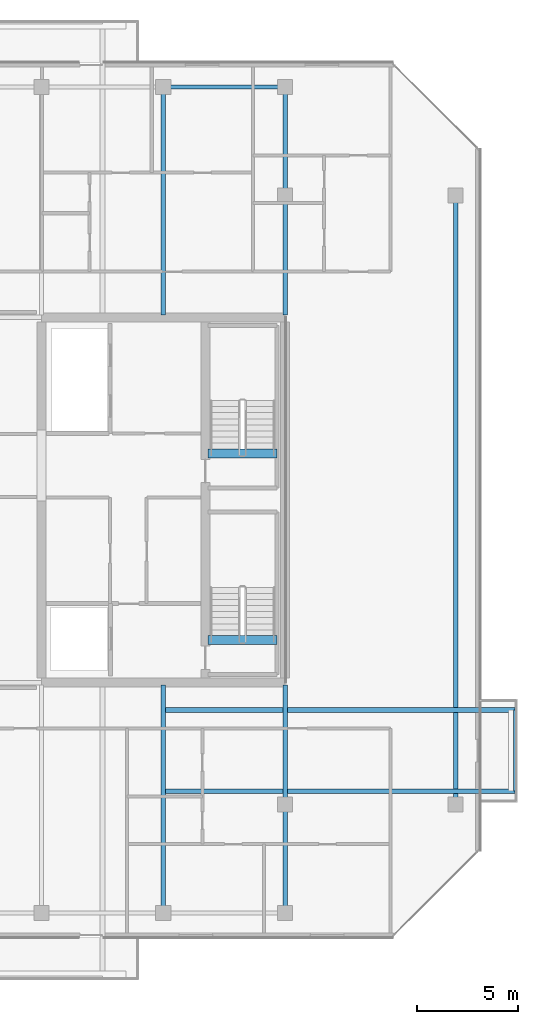
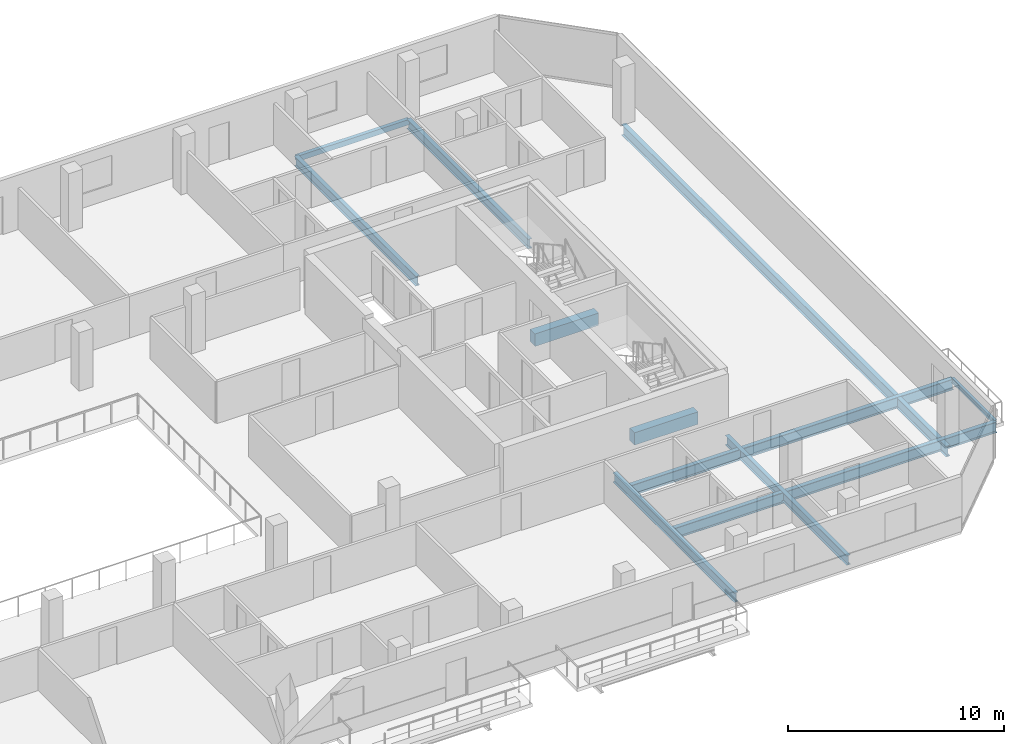
# One storey, part 15 of 28: 11 beams.
"""IFC4 building model written with IfcOpenShell, lengths in metres."""

from ifc_helpers import new_model, si_unit, direction, frame, origin, origin_2d, place, context, subcontext, project, spatial, rectangle, hollow_rectangle, i_section, extrude, material, material_profile, profile_set, type_object, element, save


model = new_model("IFC4")

# Units and contexts
model_context = context("Model", 3, precision=1e-05, world=origin(), true_north=direction((0.0, 1.0)))
body_context = subcontext(model_context, "Body", "Model", "MODEL_VIEW")
ifc_project = project(units=[si_unit("LENGTHUNIT", "METRE"), si_unit("AREAUNIT", "SQUARE_METRE"), si_unit("VOLUMEUNIT", "CUBIC_METRE"), si_unit("PLANEANGLEUNIT", "RADIAN"), si_unit("MASSUNIT", "GRAM", prefix="KILO")], contexts=[model_context])

# Site, building, storey
site_placement = place(None, origin())
site = spatial("IfcSite", under=ifc_project, at=site_placement, CompositionType="ELEMENT")
building_placement = place(site_placement, origin())
building = spatial("IfcBuilding", under=site, at=building_placement, Name="Tanjung Sevakor Pilgrim Tower", CompositionType="ELEMENT")
storey_placement = place(building_placement, frame((0.0, 0.0, 222.75)))
storey = spatial("IfcBuildingStorey", under=building, at=storey_placement, Name="L62", CompositionType="ELEMENT", Elevation=222.75)

# Beams
ifc_material_1 = material(Name="Steel S355J2", Category="steel")
ifc_material_profile_1 = material_profile(ifc_material_1, i_section(OverallWidth=0.22900390625, OverallDepth=0.6123046875, WebThickness=0.011962890625, FlangeThickness=0.01953125, FilletRadius=0.0126953125, at=origin_2d()))
ifc_profile_set_1 = profile_set([ifc_material_profile_1], Name="Steel S355J2")
beam_type_1 = type_object("IfcBeamType", Name="BM-B-G4-UB_610x229x125", PredefinedType="BEAM", material=ifc_profile_set_1)
beam_1_placement = place(storey_placement, frame((98.39990234375, 18.60009765625, -0.526123046875), z_axis=(0.0, 1.0, 0.0), x_axis=(-1.0, 0.0, 0.0)))
element("IfcBeam", 1, at=beam_1_placement, inside=storey, type_object=beam_type_1, Name="L62 Short-End Edge Girder E", PredefinedType="BEAM", context=body_context, shape_type="SweptSolid", body=[
    extrude(i_section(OverallWidth=0.22900390625, OverallDepth=0.6123046875, WebThickness=0.011962890625, FlangeThickness=0.01953125, FilletRadius=0.0126953125, at=origin_2d()), origin(), (0.0, 0.0, 1.0), 30.0),
])
for number, where, z_axis, x_axis, name in (
    (2, (84.0, 19.25, -0.526123046875), (1.0, 0.0, 0.0), (0.0, 1.0, 0.0), "L62 Balcony Overhanging Beam MAIN-E1-1"),
    (3, (84.0, 23.25, -0.526123046875), (1.0, 0.0, 0.0), (0.0, 1.0, 0.0), "L62 Balcony Overhanging Beam MAIN-E1-2"),
):
    element("IfcBeam", number, at=place(storey_placement, frame(where, z_axis=z_axis, x_axis=x_axis)), inside=storey, type_object=beam_type_1, Name=name, PredefinedType="BEAM", context=body_context, shape_type="SweptSolid", body=[
        extrude(i_section(OverallWidth=0.22900390625, OverallDepth=0.6123046875, WebThickness=0.011962890625, FlangeThickness=0.01953125, FilletRadius=0.0126953125, at=origin_2d()), origin(), (0.0, 0.0, 1.0), 17.330078125),
    ])
ifc_material_2 = material(Name="Steel S355J2", Category="steel")
ifc_material_profile_2 = material_profile(ifc_material_2, i_section(OverallWidth=0.2119140625, OverallDepth=0.54443359375, WebThickness=0.0126953125, FlangeThickness=0.021240234375, FilletRadius=0.0126953125, at=origin_2d()))
ifc_profile_set_2 = profile_set([ifc_material_profile_2], Name="Steel S355J2")
beam_type_2 = type_object("IfcBeamType", Name="BM-B-G5-UB_533x210x122", PredefinedType="BEAM", material=ifc_profile_set_2)
beam_2_placement = place(storey_placement, frame((84.0, 13.25, -0.4921875), z_axis=(0.0, 1.0, 0.0), x_axis=(-1.0, 0.0, 0.0)))
element("IfcBeam", 4, at=beam_2_placement, inside=storey, type_object=beam_type_2, Name="L62 MAIN Girder 017", PredefinedType="BEAM", context=body_context, shape_type="SweptSolid", body=[
    extrude(i_section(OverallWidth=0.2119140625, OverallDepth=0.54443359375, WebThickness=0.0126953125, FlangeThickness=0.021240234375, FilletRadius=0.0126953125, at=origin_2d()), origin(), (0.0, 0.0, 1.0), 11.235595703125),
])
beam_3_placement = place(storey_placement, frame((84.0, 42.714599609375, -0.4921875), z_axis=(0.0, 1.0, 0.0), x_axis=(-1.0, 0.0, 0.0)))
element("IfcBeam", 5, at=beam_3_placement, inside=storey, type_object=beam_type_2, Name="L62 MAIN Girder 018", PredefinedType="BEAM", context=body_context, shape_type="SweptSolid", body=[
    extrude(i_section(OverallWidth=0.2119140625, OverallDepth=0.54443359375, WebThickness=0.0126953125, FlangeThickness=0.021240234375, FilletRadius=0.0126953125, at=origin_2d()), origin(), (0.0, 0.0, 1.0), 11.2353515625),
])
beam_4_placement = place(storey_placement, frame((90.0, 13.25, -0.4921875), z_axis=(0.0, 1.0, 0.0), x_axis=(-1.0, 0.0, 0.0)))
element("IfcBeam", 6, at=beam_4_placement, inside=storey, type_object=beam_type_2, Name="L62 MAIN Girder 019", PredefinedType="BEAM", context=body_context, shape_type="SweptSolid", body=[
    extrude(i_section(OverallWidth=0.2119140625, OverallDepth=0.54443359375, WebThickness=0.0126953125, FlangeThickness=0.021240234375, FilletRadius=0.0126953125, at=origin_2d()), origin(), (0.0, 0.0, 1.0), 11.235595703125),
])
beam_5_placement = place(storey_placement, frame((90.0, 42.714599609375, -0.4921875), z_axis=(0.0, 1.0, 0.0), x_axis=(-1.0, 0.0, 0.0)))
element("IfcBeam", 7, at=beam_5_placement, inside=storey, type_object=beam_type_2, Name="L62 MAIN Girder 020", PredefinedType="BEAM", context=body_context, shape_type="SweptSolid", body=[
    extrude(i_section(OverallWidth=0.2119140625, OverallDepth=0.54443359375, WebThickness=0.0126953125, FlangeThickness=0.021240234375, FilletRadius=0.0126953125, at=origin_2d()), origin(), (0.0, 0.0, 1.0), 11.2353515625),
])
ifc_material_3 = material(Name="Steel S355J2", Category="steel")
ifc_material_profile_3 = material_profile(ifc_material_3, i_section(OverallWidth=0.146484375, OverallDepth=0.256103515625, WebThickness=0.00634765625, FlangeThickness=0.010986328125, FilletRadius=0.007568359375, at=origin_2d()))
ifc_profile_set_3 = profile_set([ifc_material_profile_3], Name="Steel S355J2")
beam_type_3 = type_object("IfcBeamType", Name="BM-B-J6-UB_254x146x37", PredefinedType="JOIST", material=ifc_profile_set_3)
beam_6_placement = place(storey_placement, frame((101.330078125, 19.25, -0.327880859375), z_axis=(0.0, 1.0, 0.0), x_axis=(-1.0, 0.0, 0.0)))
element("IfcBeam", 8, at=beam_6_placement, inside=storey, type_object=beam_type_3, Name="L62 Balcony Rim Tie MAIN-E1", PredefinedType="JOIST", context=body_context, shape_type="SweptSolid", body=[
    extrude(i_section(OverallWidth=0.146484375, OverallDepth=0.256103515625, WebThickness=0.00634765625, FlangeThickness=0.010986328125, FilletRadius=0.007568359375, at=origin_2d()), origin(), (0.0, 0.0, 1.0), 4.0),
])
ifc_material_4 = material(Name="Concrete C60/75", Category="concrete")
ifc_material_profile_4 = material_profile(ifc_material_4, rectangle(XDim=0.449951171875, YDim=0.699951171875, at=origin_2d()))
ifc_profile_set_4 = profile_set([ifc_material_profile_4], Name="Concrete C60/75")
beam_type_4 = type_object("IfcBeamType", Name="BM-B-LN3-RC-BM_450x700", PredefinedType="LINTEL", material=ifc_profile_set_4)
for number, where, z_axis, x_axis, name in (
    (9, (86.199951171875, 26.699951171875, -0.35009765625), (1.0, 0.0, 0.0), (0.0, 1.0, 0.0), "L62 TS-E1 Stair Threshold Beam"),
    (10, (86.199951171875, 35.89990234375, -0.35009765625), (1.0, 0.0, 0.0), (0.0, 1.0, 0.0), "L62 TS-E2 Stair Threshold Beam"),
):
    element("IfcBeam", number, at=place(storey_placement, frame(where, z_axis=z_axis, x_axis=x_axis)), inside=storey, type_object=beam_type_4, Name=name, PredefinedType="LINTEL", context=body_context, shape_type="SweptSolid", body=[
        extrude(rectangle(XDim=0.449951171875, YDim=0.699951171875, at=origin_2d()), origin(), (0.0, 0.0, 1.0), 3.400146484375),
    ])
ifc_material_5 = material(Name="Steel S355J2", Category="steel")
ifc_material_profile_5 = material_profile(ifc_material_5, hollow_rectangle(XDim=0.199951171875, YDim=0.300048828125, WallThickness=0.012451171875, at=origin_2d()))
ifc_profile_set_5 = profile_set([ifc_material_profile_5], Name="Steel S355J2")
beam_type_5 = type_object("IfcBeamType", Name="BM-B-SP3-RHS_300x200x12.5", PredefinedType="SPANDREL", material=ifc_profile_set_5)
beam_7_placement = place(storey_placement, frame((84.0, 53.949951171875, -0.3701171875), z_axis=(1.0, 0.0, 0.0), x_axis=(0.0, 1.0, 0.0)))
element("IfcBeam", 11, at=beam_7_placement, inside=storey, type_object=beam_type_5, Name="L62 Spandrel MAIN N-16", PredefinedType="SPANDREL", context=body_context, shape_type="SweptSolid", body=[
    extrude(hollow_rectangle(XDim=0.199951171875, YDim=0.300048828125, WallThickness=0.012451171875, at=origin_2d()), origin(), (0.0, 0.0, 1.0), 6.0),
])

save(model, "model.ifc")
